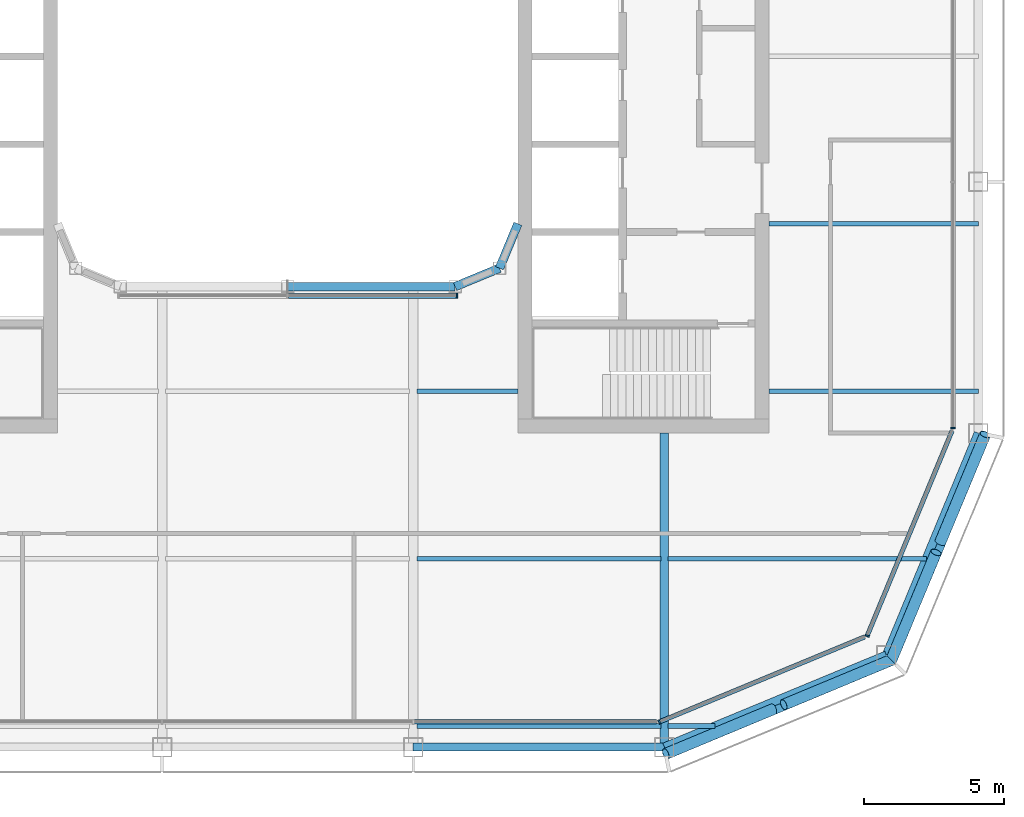
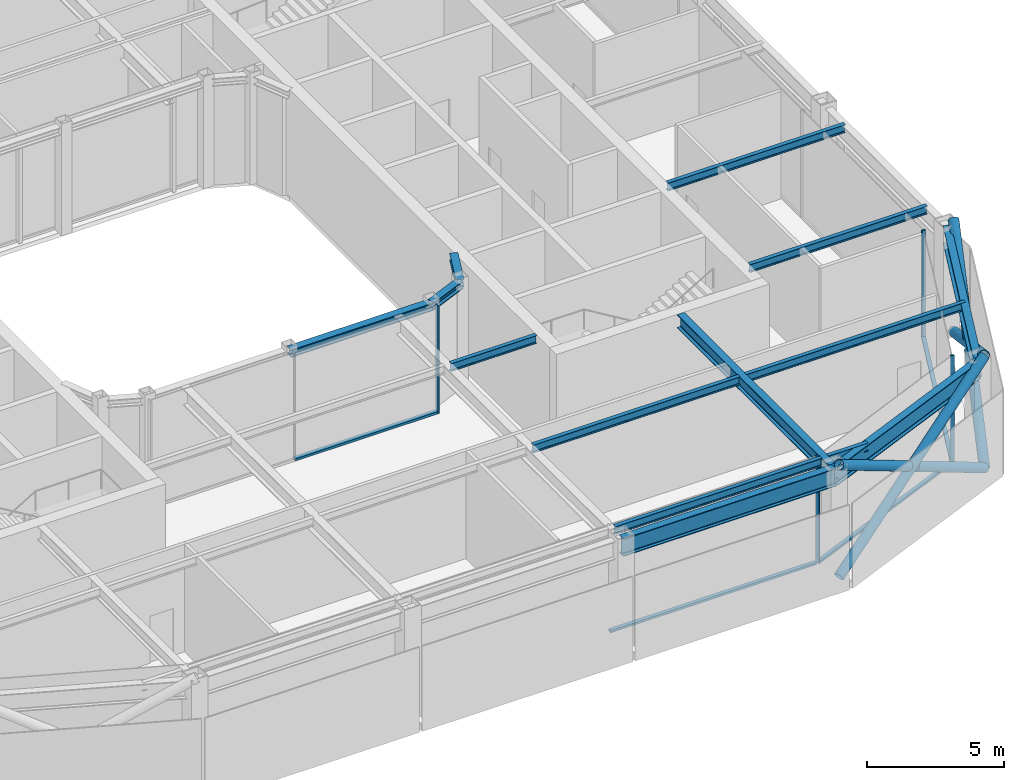
# One storey, part 5 of 17: 14 beams, 14 members, 5 elements without a shape of their own.
"""IFC4 building model written with IfcOpenShell, lengths in metres."""

import ifcopenshell
import ifcopenshell.guid

model = None  # the IFC model being written
_history = None  # IfcOwnerHistory: only IFC2X3 demands one
_inside = {}  # id of a spatial element -> (the spatial element, [elements in it])
_under = {}  # id of a project, library or spatial element -> (it, [spatial elements below it])
_declared = {}  # id of a project -> (the project, [libraries it declares])
_typed = {}  # id of a type object -> (the type object, [elements of that type])
_made_of = {}  # id of a material, layer set ... -> (it, [elements and type objects made of it])


def new_model(schema):
    """Start an empty IFC model of exactly this schema.

    Asked for "IFC4X3", IfcOpenShell would pick the latest addendum, in which some entities
    have other attributes; the version numbers below select the first issue.
    IFC2X3 requires an IfcOwnerHistory on every rooted entity: one is made here for all.
    """
    global model, _history
    if schema == "IFC4X3":
        model = ifcopenshell.file(schema_version=(4, 3, 0, 0))
    else:
        model = ifcopenshell.file(schema=schema)
    _inside.clear()
    _under.clear()
    _declared.clear()
    _typed.clear()
    _made_of.clear()
    _history = None
    if model.schema == "IFC2X3":
        org = make("IfcOrganization", Name="unknown")
        user = make(
            "IfcPersonAndOrganization",
            ThePerson=make("IfcPerson", FamilyName="unknown"),
            TheOrganization=org,
        )
        app = make(
            "IfcApplication",
            ApplicationDeveloper=org,
            Version="unknown",
            ApplicationFullName="unknown",
            ApplicationIdentifier="unknown",
        )
        _history = make(
            "IfcOwnerHistory",
            OwningUser=user,
            OwningApplication=app,
            ChangeAction="ADDED",
            CreationDate=0,
        )
    return model


def make(cls, **values):
    """One entity of the class cls with the attributes given. An attribute that is None is left unset."""
    return model.create_entity(
        cls, **{name: value for name, value in values.items() if value is not None}
    )


def rooted(cls, **values):
    """An entity with a GlobalId (a new one), such as an element, a storey or a relation."""
    return make(cls, GlobalId=ifcopenshell.guid.new(), OwnerHistory=_history, **values)


def si_unit(unit_type, name, prefix=None):
    """IfcSIUnit, for example si_unit("LENGTHUNIT", "METRE", prefix="MILLI")."""
    return make("IfcSIUnit", UnitType=unit_type, Prefix=prefix, Name=name)


def assignment(units):
    """IfcUnitAssignment: the units of a project."""
    return None if units is None else make("IfcUnitAssignment", Units=units)


def point(xyz):
    """IfcCartesianPoint."""
    return None if xyz is None else make("IfcCartesianPoint", Coordinates=xyz)


def direction(xyz):
    """IfcDirection."""
    return None if xyz is None else make("IfcDirection", DirectionRatios=xyz)


def frame(location, z_axis=None, x_axis=None):
    """IfcAxis2Placement3D, a coordinate frame: its origin and axes. An axis left out is left unset."""
    return make(
        "IfcAxis2Placement3D",
        Location=point(location),
        Axis=direction(z_axis),
        RefDirection=direction(x_axis),
    )


def frame_2d(location, x_axis=None):
    """IfcAxis2Placement2D, a coordinate frame in the plane: its origin and x axis."""
    return make(
        "IfcAxis2Placement2D", Location=point(location), RefDirection=direction(x_axis)
    )


def origin():
    """The frame at (0, 0, 0) with its axes left unset."""
    return frame((0.0, 0.0, 0.0))


def origin_2d():
    """The frame at (0, 0) in the plane with its x axis left unset."""
    return frame_2d((0.0, 0.0))


def place(relative_to, where):
    """IfcLocalPlacement: puts the frame where relative to a parent placement (None: the world)."""
    return make(
        "IfcLocalPlacement", PlacementRelTo=relative_to, RelativePlacement=where
    )


def context(
    kind, dimensions, precision=None, world=None, true_north=None, identifier=None
):
    """IfcGeometricRepresentationContext, for example the 3D "Model" context."""
    return make(
        "IfcGeometricRepresentationContext",
        ContextIdentifier=identifier,
        ContextType=kind,
        CoordinateSpaceDimension=dimensions,
        Precision=precision,
        WorldCoordinateSystem=world,
        TrueNorth=true_north,
    )


def subcontext(parent, identifier, kind, view, scale=None):
    """IfcGeometricRepresentationSubContext, for example "Body" below "Model"."""
    return make(
        "IfcGeometricRepresentationSubContext",
        ContextIdentifier=identifier,
        ContextType=kind,
        ParentContext=parent,
        TargetScale=scale,
        TargetView=view,
    )


def project(units=None, contexts=None):
    """IfcProject with its units and contexts."""
    return rooted(
        "IfcProject",
        Name="project",
        RepresentationContexts=contexts,
        UnitsInContext=assignment(units),
    )


def spatial(cls, under=None, at=None, **own):
    """A site, building, storey or space (cls), placed at a placement, below another one or the project."""
    s = rooted(cls, ObjectPlacement=at, **own)
    if under is not None:
        _under.setdefault(under.id(), (under, []))[1].append(s)
    return s


def profile(cls, at=None, kind="AREA", **sizes):
    """A parametric profile (cls). Its sizes go by their IFC names, for example OverallWidth=200.0."""
    return make(cls, ProfileType=kind, Position=at, **sizes)


def rectangle(**sizes):
    """IfcRectangleProfileDef."""
    return profile("IfcRectangleProfileDef", **sizes)


def hollow_circle(**sizes):
    """IfcCircleHollowProfileDef."""
    return profile("IfcCircleHollowProfileDef", **sizes)


def i_section(**sizes):
    """IfcIShapeProfileDef."""
    return profile("IfcIShapeProfileDef", **sizes)


def extrude(swept, where, along, depth):
    """IfcExtrudedAreaSolid: the profile swept, set in the frame where, extruded along a direction by depth."""
    return make(
        "IfcExtrudedAreaSolid",
        SweptArea=swept,
        Position=where,
        ExtrudedDirection=direction(along),
        Depth=depth,
    )


def shape(context_of_items, identifier, shape_type, items):
    """IfcShapeRepresentation: the items that make up one representation, for example the "Body"."""
    return make(
        "IfcShapeRepresentation",
        ContextOfItems=context_of_items,
        RepresentationIdentifier=identifier,
        RepresentationType=shape_type,
        Items=items,
    )


def material(Name=None, Category=None):
    """IfcMaterial."""
    return make("IfcMaterial", Name=Name, Category=Category)


def layer(
    of_material, thickness, ventilated=None, Name=None, Category=None, Priority=None
):
    """IfcMaterialLayer: one layer of a wall or slab, of a material (None: an air gap)."""
    return make(
        "IfcMaterialLayer",
        Material=of_material,
        LayerThickness=thickness,
        IsVentilated=ventilated,
        Name=Name,
        Category=Category,
        Priority=Priority,
    )


def layer_set(layers, Name=None):
    """IfcMaterialLayerSet."""
    return make("IfcMaterialLayerSet", MaterialLayers=layers, LayerSetName=Name)


def material_profile(
    of_material, cross_section, Name=None, Category=None, Priority=None
):
    """IfcMaterialProfile: a cross section and its material."""
    return make(
        "IfcMaterialProfile",
        Name=Name,
        Material=of_material,
        Profile=cross_section,
        Priority=Priority,
        Category=Category,
    )


def profile_set(profiles, Name=None, composite=None):
    """IfcMaterialProfileSet."""
    return make(
        "IfcMaterialProfileSet",
        Name=Name,
        MaterialProfiles=profiles,
        CompositeProfile=composite,
    )


def made_of(thing, what):
    """Note that an element or type object is made of a material, layer set ...; save() writes the relation."""
    if what is not None:
        _made_of.setdefault(what.id(), (what, []))[1].append(thing)
    return thing


def type_object(cls, material=None, **own):
    """A type object (cls), such as IfcWallType, which elements share."""
    return made_of(rooted(cls, **own), material)


def element(
    cls,
    number,
    at=None,
    inside=None,
    cuts=None,
    type_object=None,
    material=None,
    context=None,
    identifier="Body",
    shape_type=None,
    held_by="IfcProductDefinitionShape",
    body=None,
    shapes=None,
    **own,
):
    """One element of the class cls, such as IfcWall. Its Tag is "e" and its number.

    at: its placement. inside: the storey or other place that contains it. cuts: it is an
    opening in that element (IfcRelVoidsElement). A single representation is given by context,
    identifier, shape_type and body (its items); several are given by shapes. held_by: the class
    of the entity that holds the representations. save() writes the other relations.
    """
    e = rooted(cls, Tag="e%d" % number, ObjectPlacement=at, **own)
    if body is not None:
        shapes = [shape(context, identifier, shape_type, body)]
    if shapes is not None:
        e.Representation = make(held_by, Representations=shapes)
    if inside is not None:
        _inside.setdefault(inside.id(), (inside, []))[1].append(e)
    if cuts is not None:
        rooted(
            "IfcRelVoidsElement", RelatingBuildingElement=cuts, RelatedOpeningElement=e
        )
    if type_object is not None:
        _typed.setdefault(type_object.id(), (type_object, []))[1].append(e)
    return made_of(e, material)


def aggregate(whole, parts):
    """IfcRelAggregates: a whole, such as a stair, and the parts it consists of."""
    return rooted("IfcRelAggregates", RelatingObject=whole, RelatedObjects=parts)


def save(model, path):
    """Write the relations noted so far, then the file.

    IfcRelAggregates (storeys below a building ...), IfcRelContainedInSpatialStructure (elements
    in a storey), IfcRelDefinesByType, IfcRelAssociatesMaterial and IfcRelDeclares: one each for
    every whole, place, type object, material and project.
    """
    for whole, parts in _under.values():
        aggregate(whole, parts)
    for where, things in _inside.values():
        rooted(
            "IfcRelContainedInSpatialStructure",
            RelatedElements=things,
            RelatingStructure=where,
        )
    for kind, things in _typed.values():
        rooted("IfcRelDefinesByType", RelatedObjects=things, RelatingType=kind)
    for what, things in _made_of.values():
        rooted("IfcRelAssociatesMaterial", RelatedObjects=things, RelatingMaterial=what)
    for by, libraries in _declared.values():
        rooted("IfcRelDeclares", RelatingContext=by, RelatedDefinitions=libraries)
    model.write(path)


model = new_model("IFC4")

# Units and contexts
model_context = context("Model", 3, precision=1e-05, world=origin(), true_north=direction((0.0, 1.0)))
body_context = subcontext(model_context, "Body", "Model", "MODEL_VIEW")
ifc_project = project(units=[si_unit("LENGTHUNIT", "METRE"), si_unit("AREAUNIT", "SQUARE_METRE"), si_unit("VOLUMEUNIT", "CUBIC_METRE"), si_unit("PLANEANGLEUNIT", "RADIAN"), si_unit("MASSUNIT", "GRAM", prefix="KILO")], contexts=[model_context])

# Site, building, storey
site_placement = place(None, origin())
site = spatial("IfcSite", under=ifc_project, at=site_placement, CompositionType="ELEMENT")
building_placement = place(site_placement, origin())
building = spatial("IfcBuilding", under=site, at=building_placement, Name="Siwar Civic Tower", CompositionType="ELEMENT")
storey_placement = place(building_placement, frame((0.0, 0.0, 348.199951171875)))
storey = spatial("IfcBuildingStorey", under=building, at=storey_placement, Name="L75", CompositionType="ELEMENT", Elevation=348.199951171875)

# Curtain wall, member
ifc_material_1 = material(Name="Aluminium clad insulated panel", Category="aluminium")
ifc_layer_1 = layer(ifc_material_1, 0.159912109375)
ifc_layer_set_1 = layer_set([ifc_layer_1], Name="Aluminium clad insulated panel")
curtain_wall_type_1 = type_object("IfcCurtainWallType", Name="ENV-CW-DX", PredefinedType="NOTDEFINED", material=ifc_layer_set_1)
curtain_wall_1_placement = place(storey_placement, origin())
curtain_wall_1 = element("IfcCurtainWall", 1, at=curtain_wall_1_placement, inside=storey, type_object=curtain_wall_type_1, Name="Curtain wall D SE1", PredefinedType="NOTDEFINED")
ifc_material_2 = material(Name="Aluminium 6063-T6", Category="aluminium")
ifc_material_profile_1 = material_profile(ifc_material_2, rectangle(XDim=0.159912109375, YDim=0.06005859375, at=origin_2d()), Name="AL 160x60")
ifc_profile_set_1 = profile_set([ifc_material_profile_1], Name="Aluminium 6063-T6")
member_type_1 = type_object("IfcMemberType", Name="ENV-MULLION-D", PredefinedType="MULLION", material=ifc_profile_set_1)
member_1_placement = place(storey_placement, frame((13.321044921875, -23.85009765625, 0.0), z_axis=(0.0, 0.0, 1.0), x_axis=(-0.382683432365, 0.923879532511, 0.0)))
member_1 = element("IfcMember", 2, at=member_1_placement, type_object=member_type_1, Name="Mullion D SE1 1", PredefinedType="MULLION", context=body_context, shape_type="SweptSolid", body=[
    extrude(rectangle(XDim=0.159912109375, YDim=0.06005859375, at=origin_2d()), origin(), (0.0, 0.0, 1.0), 4.800048828125),
])

curtain_wall_2_placement = place(storey_placement, origin())
curtain_wall_2 = element("IfcCurtainWall", 3, at=curtain_wall_2_placement, inside=storey, type_object=curtain_wall_type_1, Name="Curtain wall D SE2", PredefinedType="NOTDEFINED")
member_2_placement = place(storey_placement, frame((20.76611328125, -20.76611328125, 0.0), z_axis=(0.0, 0.0, 1.0), x_axis=(-0.923879532511, 0.382683432365, 0.0)))
member_2 = element("IfcMember", 4, at=member_2_placement, type_object=member_type_1, Name="Mullion D SE2 1", PredefinedType="MULLION", context=body_context, shape_type="SweptSolid", body=[
    extrude(rectangle(XDim=0.159912109375, YDim=0.06005859375, at=origin_2d()), origin(), (0.0, 0.0, 1.0), 4.800048828125),
])

ifc_material_3 = material(Name="Aluminium and glass", Category="aluminium")
ifc_layer_2 = layer(ifc_material_3, 0.159912109375)
ifc_layer_set_2 = layer_set([ifc_layer_2], Name="Aluminium and glass")
curtain_wall_type_2 = type_object("IfcCurtainWallType", Name="ENV-CW-D", PredefinedType="NOTDEFINED", material=ifc_layer_set_2)
curtain_wall_3_placement = place(storey_placement, origin())
curtain_wall_3 = element("IfcCurtainWall", 5, at=curtain_wall_3_placement, inside=storey, type_object=curtain_wall_type_2, Name="Curtain wall D E", PredefinedType="NOTDEFINED")
member_3_placement = place(storey_placement, frame((23.85009765625, -13.321044921875, 0.0), z_axis=(0.0, 0.0, 1.0), x_axis=(-1.0, 0.0, 0.0)))
member_3 = element("IfcMember", 6, at=member_3_placement, type_object=member_type_1, Name="Mullion D E 1", PredefinedType="MULLION", context=body_context, shape_type="SweptSolid", body=[
    extrude(rectangle(XDim=0.159912109375, YDim=0.06005859375, at=origin_2d()), origin(), (0.0, 0.0, 1.0), 4.800048828125),
])
aggregate(curtain_wall_3, [member_3])

ifc_material_4 = material(Name="Aluminium and glass", Category="aluminium")
ifc_layer_3 = layer(ifc_material_4, 0.179931640625)
ifc_layer_set_3 = layer_set([ifc_layer_3], Name="Aluminium and glass")
curtain_wall_type_3 = type_object("IfcCurtainWallType", Name="ENV-CW-W", PredefinedType="NOTDEFINED", material=ifc_layer_set_3)
curtain_wall_4_placement = place(storey_placement, origin())
curtain_wall_4 = element("IfcCurtainWall", 7, at=curtain_wall_4_placement, inside=storey, type_object=curtain_wall_type_3, Name="Curtain wall W WS", PredefinedType="NOTDEFINED")
ifc_material_5 = material(Name="Aluminium 6063-T6", Category="aluminium")
ifc_material_profile_2 = material_profile(ifc_material_5, rectangle(XDim=0.179931640625, YDim=0.06005859375, at=origin_2d()), Name="AL 180x60")
ifc_profile_set_2 = profile_set([ifc_material_profile_2], Name="Aluminium 6063-T6")
member_type_2 = type_object("IfcMemberType", Name="ENV-MULLION-W", PredefinedType="MULLION", material=ifc_profile_set_2)
member_4_placement = place(storey_placement, frame((6.066650390625, -8.5849609375, 0.0), z_axis=(0.0, 0.0, 1.0), x_axis=(0.0, 1.0, 0.0)))
member_4 = element("IfcMember", 8, at=member_4_placement, type_object=member_type_2, Name="Mullion W WS 3", PredefinedType="MULLION", context=body_context, shape_type="SweptSolid", body=[
    extrude(rectangle(XDim=0.179931640625, YDim=0.06005859375, at=origin_2d()), origin(), (0.0, 0.0, 1.0), 4.800048828125),
])

curtain_wall_5_placement = place(storey_placement, origin())
curtain_wall_5 = element("IfcCurtainWall", 9, at=curtain_wall_5_placement, inside=storey, type_object=curtain_wall_type_2, Name="Curtain wall D S", PredefinedType="NOTDEFINED")
ifc_material_6 = material(Name="Aluminium 6063-T6", Category="aluminium")
ifc_material_profile_3 = material_profile(ifc_material_6, rectangle(XDim=0.159912109375, YDim=0.10009765625, at=origin_2d()), Name="AL 160x100")
ifc_profile_set_3 = profile_set([ifc_material_profile_3], Name="Aluminium 6063-T6")
member_type_3 = type_object("IfcMemberType", Name="ENV-TRANSOM-D", PredefinedType="USERDEFINED", material=ifc_profile_set_3)
member_5_placement = place(storey_placement, frame((4.530029296875, -23.85009765625, 0.050048828125), z_axis=(1.0, 0.0, 0.0), x_axis=(0.0, 1.0, 0.0)))
member_5 = element("IfcMember", 10, at=member_5_placement, type_object=member_type_3, Name="Transom D S 3", ObjectType="TRANSOM", PredefinedType="USERDEFINED", context=body_context, shape_type="SweptSolid", body=[
    extrude(rectangle(XDim=0.159912109375, YDim=0.10009765625, at=origin_2d()), origin(), (0.0, 0.0, 1.0), 8.693115234375),
])
aggregate(curtain_wall_5, [member_5])

# Member
member_6_placement = place(storey_placement, frame((13.3486328125, -23.838623046875, 0.050048828125), z_axis=(0.923872756612, 0.382699790424, 0.0), x_axis=(-0.382699790424, 0.923872756612, 0.0)))
member_6 = element("IfcMember", 11, at=member_6_placement, type_object=member_type_3, Name="Transom D SE1 1", ObjectType="TRANSOM", PredefinedType="USERDEFINED", context=body_context, shape_type="SweptSolid", body=[
    extrude(rectangle(XDim=0.159912109375, YDim=0.10009765625, at=origin_2d()), origin(), (0.0, 0.0, 1.0), 7.930908203125),
])

aggregate(curtain_wall_1, [member_1, member_6])

member_7_placement = place(storey_placement, frame((20.777587890625, -20.738525390625, 0.050048828125), z_axis=(0.382673515031, 0.923883640343, 0.0), x_axis=(-0.923883640343, 0.382673515031, 0.0)))
member_7 = element("IfcMember", 12, at=member_7_placement, type_object=member_type_3, Name="Transom D SE2 1", ObjectType="TRANSOM", PredefinedType="USERDEFINED", context=body_context, shape_type="SweptSolid", body=[
    extrude(rectangle(XDim=0.159912109375, YDim=0.10009765625, at=origin_2d()), origin(), (0.0, 0.0, 1.0), 7.930908203125),
])

aggregate(curtain_wall_2, [member_2, member_7])

ifc_material_7 = material(Name="Aluminium 6063-T6", Category="aluminium")
ifc_material_profile_4 = material_profile(ifc_material_7, rectangle(XDim=0.179931640625, YDim=0.10009765625, at=origin_2d()), Name="AL 180x100")
ifc_profile_set_4 = profile_set([ifc_material_profile_4], Name="Aluminium 6063-T6")
member_type_4 = type_object("IfcMemberType", Name="ENV-TRANSOM-W", PredefinedType="USERDEFINED", material=ifc_profile_set_4)
member_8_placement = place(storey_placement, frame((0.030029296875, -8.5849609375, 0.050048828125), z_axis=(1.0, 0.0, 0.0), x_axis=(0.0, 1.0, 0.0)))
member_8 = element("IfcMember", 13, at=member_8_placement, type_object=member_type_4, Name="Transom W WS 2", ObjectType="TRANSOM", PredefinedType="USERDEFINED", context=body_context, shape_type="SweptSolid", body=[
    extrude(rectangle(XDim=0.179931640625, YDim=0.10009765625, at=origin_2d()), origin(), (0.0, 0.0, 1.0), 6.006591796875),
])

aggregate(curtain_wall_4, [member_4, member_8])

# Members
ifc_material_8 = material(Name="Steel S355", Category="steel")
ifc_material_profile_5 = material_profile(ifc_material_8, hollow_circle(Radius=0.203125, WallThickness=0.01611328125, at=origin_2d()), Name="CHS406.4x16")
ifc_profile_set_5 = profile_set([ifc_material_profile_5], Name="Steel S355")
member_type_5 = type_object("IfcMemberType", Name="STR-BR-CHS406.4x16", PredefinedType="BRACE", material=ifc_profile_set_5)
member_9_placement = place(storey_placement, frame((24.9951171875, -13.548828125, 0.0), z_axis=(-0.333592743807, -0.801726811989, 0.495933463499), x_axis=(0.923264922524, -0.384163874976, 0.0)))
element("IfcMember", 14, at=member_9_placement, inside=storey, type_object=member_type_5, Name="L75/brc/DSE1-14-0-1", PredefinedType="BRACE", context=body_context, shape_type="SweptSolid", body=[
    extrude(hollow_circle(Radius=0.203125, WallThickness=0.01611328125, at=origin_2d()), origin(), (0.0, 0.0, 1.0), 10.08203125),
])
for number, where, z_axis, x_axis, name in (
    (15, (21.6318359375, -21.6318359375, 0.0), (0.333566570839, 0.801737302644, 0.495934108897), (-0.923277395422, 0.384133897361, 0.0), "L75/brc/DSE1-14-0-2"),
    (16, (23.390380859375, -17.405029296875, 2.614501953125), (0.333625253508, 0.80170559549, 0.495945892595), (-0.923248036946, 0.384204453742, 0.0), "L75/brc/DSE1-14-0-3"),
):
    element("IfcMember", number, at=place(storey_placement, frame(where, z_axis=z_axis, x_axis=x_axis)), inside=storey, type_object=member_type_5, Name=name, PredefinedType="BRACE", context=body_context, shape_type="SweptSolid", body=[
        extrude(hollow_circle(Radius=0.203125, WallThickness=0.01611328125, at=origin_2d()), origin(), (0.0, 0.0, 1.0), 4.81005859375),
    ])
member_10_placement = place(storey_placement, frame((13.548828125, -24.9951171875, 0.0), z_axis=(0.801726811989, 0.333592743807, 0.495933463499), x_axis=(-0.384163874976, 0.923264922524, 0.0)))
element("IfcMember", 17, at=member_10_placement, inside=storey, type_object=member_type_5, Name="L75/brc/DSE1-14-0-0", PredefinedType="BRACE", context=body_context, shape_type="SweptSolid", body=[
    extrude(hollow_circle(Radius=0.203125, WallThickness=0.01611328125, at=origin_2d()), origin(), (0.0, 0.0, 1.0), 10.08203125),
])
for number, where, z_axis, x_axis, name in (
    (18, (21.6318359375, -21.6318359375, 0.0), (-0.801737302644, -0.333566570839, 0.495934108897), (0.384133897361, -0.923277395422, 0.0), "L75/brc/DSE1-14-0-4"),
    (19, (17.405029296875, -23.390380859375, 2.614501953125), (-0.80170559549, -0.333625253508, 0.495945892595), (0.384204453742, -0.923248036946, 0.0), "L75/brc/DSE1-14-0-5"),
):
    element("IfcMember", number, at=place(storey_placement, frame(where, z_axis=z_axis, x_axis=x_axis)), inside=storey, type_object=member_type_5, Name=name, PredefinedType="BRACE", context=body_context, shape_type="SweptSolid", body=[
        extrude(hollow_circle(Radius=0.203125, WallThickness=0.01611328125, at=origin_2d()), origin(), (0.0, 0.0, 1.0), 4.81005859375),
    ])

# Beams
ifc_material_9 = material(Name="Steel S355", Category="steel")
ifc_material_profile_6 = material_profile(ifc_material_9, i_section(OverallWidth=0.169921875, OverallDepth=0.360107421875, WebThickness=0.008056640625, FlangeThickness=0.0126953125, FilletRadius=0.01806640625, at=origin_2d()), Name="IPE360")
ifc_profile_set_6 = profile_set([ifc_material_profile_6], Name="Steel S355")
beam_type_1 = type_object("IfcBeamType", Name="STR-FB-IPE360", PredefinedType="JOIST", material=ifc_profile_set_6)
beam_1_placement = place(storey_placement, frame((4.6298828125, -24.0, 4.6201171875), z_axis=(1.0, 0.0, 0.0), x_axis=(0.0, 1.0, 0.0)))
element("IfcBeam", 20, at=beam_1_placement, inside=storey, type_object=beam_type_1, Name="L75/bm/F004", PredefinedType="JOIST", context=body_context, shape_type="SweptSolid", body=[
    extrude(i_section(OverallWidth=0.169921875, OverallDepth=0.360107421875, WebThickness=0.008056640625, FlangeThickness=0.0126953125, FilletRadius=0.01806640625, at=origin_2d()), origin(), (0.0, 0.0, 1.0), 8.740234375),
])
beam_2_placement = place(storey_placement, frame((13.6298828125, -24.0, 4.6201171875), z_axis=(1.0, 0.0, 0.0), x_axis=(0.0, 1.0, 0.0)))
element("IfcBeam", 21, at=beam_2_placement, inside=storey, type_object=beam_type_1, Name="L75/bm/F005", PredefinedType="JOIST", context=body_context, shape_type="SweptSolid", body=[
    extrude(i_section(OverallWidth=0.169921875, OverallDepth=0.360107421875, WebThickness=0.008056640625, FlangeThickness=0.0126953125, FilletRadius=0.01806640625, at=origin_2d()), origin(), (0.0, 0.0, 1.0), 1.6806640625),
])
beam_3_placement = place(storey_placement, frame((4.6298828125, -18.0, 4.6201171875), z_axis=(1.0, 0.0, 0.0), x_axis=(0.0, 1.0, 0.0)))
element("IfcBeam", 22, at=beam_3_placement, inside=storey, type_object=beam_type_1, Name="L75/bm/F009", PredefinedType="JOIST", context=body_context, shape_type="SweptSolid", body=[
    extrude(i_section(OverallWidth=0.169921875, OverallDepth=0.360107421875, WebThickness=0.008056640625, FlangeThickness=0.0126953125, FilletRadius=0.01806640625, at=origin_2d()), origin(), (0.0, 0.0, 1.0), 8.740234375),
])
beam_4_placement = place(storey_placement, frame((13.6298828125, -18.0, 4.6201171875), z_axis=(1.0, 0.0, 0.0), x_axis=(0.0, 1.0, 0.0)))
element("IfcBeam", 23, at=beam_4_placement, inside=storey, type_object=beam_type_1, Name="L75/bm/F010", PredefinedType="JOIST", context=body_context, shape_type="SweptSolid", body=[
    extrude(i_section(OverallWidth=0.169921875, OverallDepth=0.360107421875, WebThickness=0.008056640625, FlangeThickness=0.0126953125, FilletRadius=0.01806640625, at=origin_2d()), origin(), (0.0, 0.0, 1.0), 9.256103515625),
])
beam_5_placement = place(storey_placement, frame((4.6298828125, -12.0, 4.6201171875), z_axis=(1.0, 0.0, 0.0), x_axis=(0.0, 1.0, 0.0)))
element("IfcBeam", 24, at=beam_5_placement, inside=storey, type_object=beam_type_1, Name="L75/bm/F014", PredefinedType="JOIST", context=body_context, shape_type="SweptSolid", body=[
    extrude(i_section(OverallWidth=0.169921875, OverallDepth=0.360107421875, WebThickness=0.008056640625, FlangeThickness=0.0126953125, FilletRadius=0.01806640625, at=origin_2d()), origin(), (0.0, 0.0, 1.0), 3.6201171875),
])
for number, where, z_axis, x_axis, name in (
    (25, (17.25, -12.0, 4.6201171875), (1.0, 0.0, 0.0), (0.0, 1.0, 0.0), "L75/bm/F015"),
    (26, (17.25, -6.0, 4.6201171875), (1.0, 0.0, 0.0), (0.0, 1.0, 0.0), "L75/bm/F017"),
):
    element("IfcBeam", number, at=place(storey_placement, frame(where, z_axis=z_axis, x_axis=x_axis)), inside=storey, type_object=beam_type_1, Name=name, PredefinedType="JOIST", context=body_context, shape_type="SweptSolid", body=[
        extrude(i_section(OverallWidth=0.169921875, OverallDepth=0.360107421875, WebThickness=0.008056640625, FlangeThickness=0.0126953125, FilletRadius=0.01806640625, at=origin_2d()), origin(), (0.0, 0.0, 1.0), 7.5),
    ])
ifc_material_10 = material(Name="Steel S355", Category="steel")
ifc_material_profile_7 = material_profile(ifc_material_10, i_section(OverallWidth=0.300048828125, OverallDepth=0.60009765625, WebThickness=0.015380859375, FlangeThickness=0.030029296875, FilletRadius=0.027099609375, at=origin_2d()), Name="HEB600")
ifc_profile_set_7 = profile_set([ifc_material_profile_7], Name="Steel S355")
beam_type_2 = type_object("IfcBeamType", Name="STR-PG-HEB600", PredefinedType="BEAM", material=ifc_profile_set_7)
beam_6_placement = place(storey_placement, frame((13.5, -24.75, 4.5), z_axis=(0.0, 1.0, 0.0), x_axis=(-1.0, 0.0, 0.0)))
element("IfcBeam", 27, at=beam_6_placement, inside=storey, type_object=beam_type_2, Name="L75/bm/G07", PredefinedType="BEAM", context=body_context, shape_type="SweptSolid", body=[
    extrude(i_section(OverallWidth=0.300048828125, OverallDepth=0.60009765625, WebThickness=0.015380859375, FlangeThickness=0.030029296875, FilletRadius=0.027099609375, at=origin_2d()), origin(), (0.0, 0.0, 1.0), 11.25),
])
ifc_material_11 = material(Name="Steel S355", Category="steel")
ifc_material_profile_8 = material_profile(ifc_material_11, i_section(OverallWidth=0.31005859375, OverallDepth=0.340087890625, WebThickness=0.02099609375, FlangeThickness=0.0390625, FilletRadius=0.027099609375, at=origin_2d()), Name="HEM300")
ifc_profile_set_8 = profile_set([ifc_material_profile_8], Name="Steel S355")
beam_type_3 = type_object("IfcBeamType", Name="STR-RB-HEM300", PredefinedType="BEAM", material=ifc_profile_set_8)
beam_7_placement = place(storey_placement, frame((0.0, -8.25, 4.630126953125), z_axis=(1.0, 0.0, 0.0), x_axis=(0.0, 1.0, 0.0)))
element("IfcBeam", 28, at=beam_7_placement, inside=storey, type_object=beam_type_3, Name="L75/bm/RS2", PredefinedType="BEAM", context=body_context, shape_type="SweptSolid", body=[
    extrude(i_section(OverallWidth=0.31005859375, OverallDepth=0.340087890625, WebThickness=0.02099609375, FlangeThickness=0.0390625, FilletRadius=0.027099609375, at=origin_2d()), origin(), (0.0, 0.0, 1.0), 6.0),
])
for number, where, z_axis, x_axis, name in (
    (29, (6.0, -8.25, 4.630126953125), (0.923901072997, 0.382631424892, 0.0), (-0.382631424892, 0.923901072997, 0.0), "L75/bm/RS3"),
    (30, (7.591064453125, -7.591064453125, 4.630126953125), (0.382631424892, 0.923901072997, 0.0), (-0.923901072997, 0.382631424892, 0.0), "L75/bm/RSEE"),
):
    element("IfcBeam", number, at=place(storey_placement, frame(where, z_axis=z_axis, x_axis=x_axis)), inside=storey, type_object=beam_type_3, Name=name, PredefinedType="BEAM", context=body_context, shape_type="SweptSolid", body=[
        extrude(i_section(OverallWidth=0.31005859375, OverallDepth=0.340087890625, WebThickness=0.02099609375, FlangeThickness=0.0390625, FilletRadius=0.027099609375, at=origin_2d()), origin(), (0.0, 0.0, 1.0), 1.72216796875),
    ])
ifc_material_12 = material(Name="Steel S355", Category="steel")
ifc_material_profile_9 = material_profile(ifc_material_12, i_section(OverallWidth=0.300048828125, OverallDepth=0.800048828125, WebThickness=0.017578125, FlangeThickness=0.032958984375, FilletRadius=0.030029296875, at=origin_2d()), Name="HEB800")
ifc_profile_set_9 = profile_set([ifc_material_profile_9], Name="Steel S355")
beam_type_4 = type_object("IfcBeamType", Name="STR-SB-HEB800", PredefinedType="BEAM", material=ifc_profile_set_9)
beam_8_placement = place(storey_placement, frame((4.5, -24.75, 4.400146484375), z_axis=(1.0, 0.0, 0.0), x_axis=(0.0, 1.0, 0.0)))
element("IfcBeam", 31, at=beam_8_placement, inside=storey, type_object=beam_type_4, Name="L75/bm/SS-2", PredefinedType="BEAM", context=body_context, shape_type="SweptSolid", body=[
    extrude(i_section(OverallWidth=0.300048828125, OverallDepth=0.800048828125, WebThickness=0.017578125, FlangeThickness=0.032958984375, FilletRadius=0.030029296875, at=origin_2d()), origin(), (0.0, 0.0, 1.0), 9.0),
])
for number, where, z_axis, x_axis, name in (
    (32, (13.5, -24.75, 4.400146484375), (0.923872720536, 0.382699877515, 0.0), (-0.382699877515, 0.923872720536, 0.0), "L75/bm/SSE1-0"),
    (33, (21.454833984375, -21.454833984375, 4.400146484375), (0.382699877515, 0.923872720536, 0.0), (-0.923872720536, 0.382699877515, 0.0), "L75/bm/SSE2-0"),
):
    element("IfcBeam", number, at=place(storey_placement, frame(where, z_axis=z_axis, x_axis=x_axis)), inside=storey, type_object=beam_type_4, Name=name, PredefinedType="BEAM", context=body_context, shape_type="SweptSolid", body=[
        extrude(i_section(OverallWidth=0.300048828125, OverallDepth=0.800048828125, WebThickness=0.017578125, FlangeThickness=0.032958984375, FilletRadius=0.030029296875, at=origin_2d()), origin(), (0.0, 0.0, 1.0), 8.6103515625),
    ])

save(model, "model.ifc")
